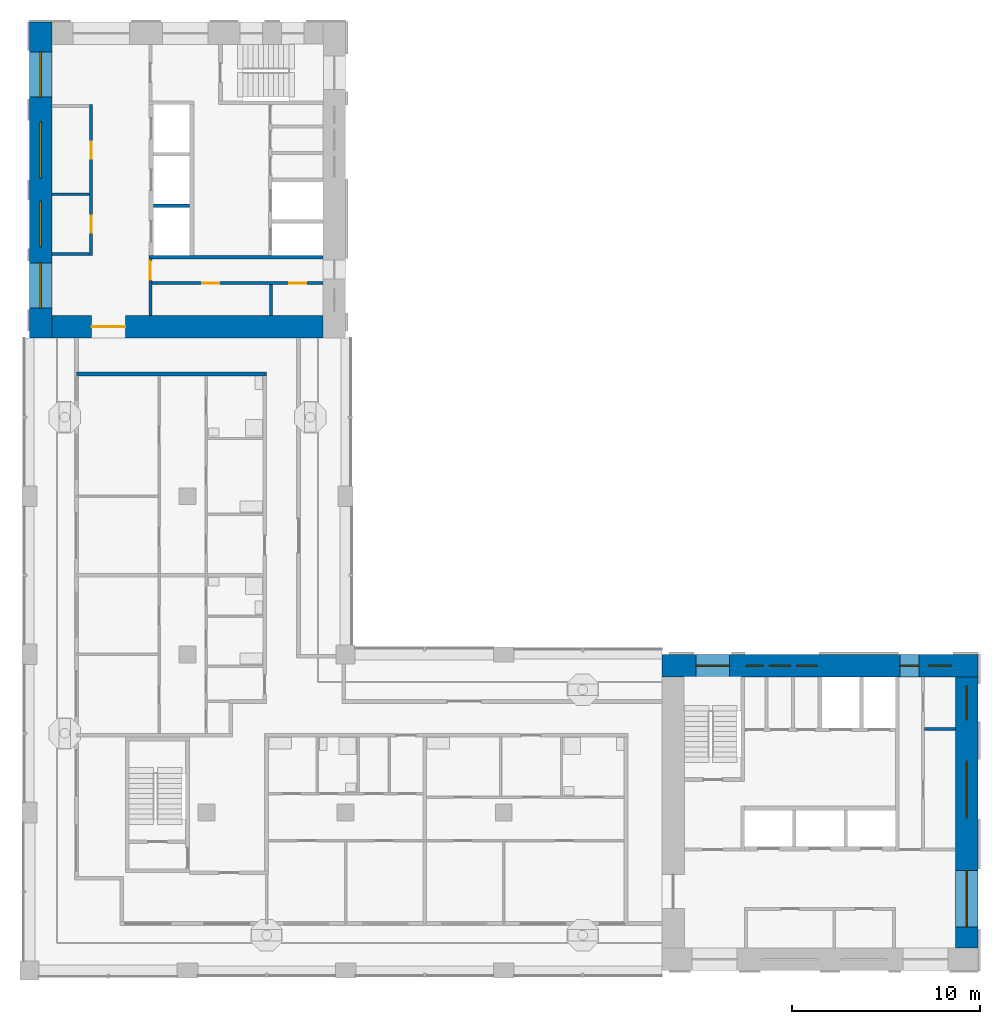
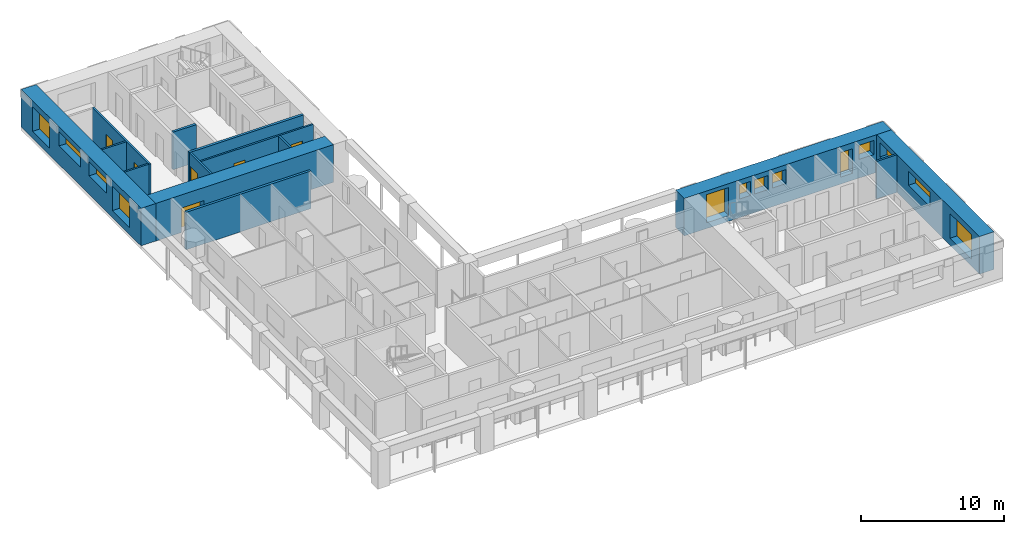
# One storey, part 5 of 12: 14 walls, 13 windows, 6 doors, 19 openings.
"""IFC4 building model written with IfcOpenShell, lengths in metres."""

from ifc_helpers import new_model, si_unit, direction, frame, frame_2d, origin, place, context, subcontext, project, spatial, rectangle, extrude, material, layer, layer_set, type_object, element, fill, save


model = new_model("IFC4")

# Units and contexts
model_context = context("Model", 3, precision=1e-05, world=origin(), true_north=direction((0.0, 1.0)))
body_context = subcontext(model_context, "Body", "Model", "MODEL_VIEW")
ifc_project = project(units=[si_unit("LENGTHUNIT", "METRE"), si_unit("AREAUNIT", "SQUARE_METRE"), si_unit("VOLUMEUNIT", "CUBIC_METRE"), si_unit("PLANEANGLEUNIT", "RADIAN"), si_unit("MASSUNIT", "GRAM", prefix="KILO")], contexts=[model_context])

# Site, building, storey
site_placement = place(None, origin())
site = spatial("IfcSite", under=ifc_project, at=site_placement, CompositionType="ELEMENT")
building_placement = place(site_placement, origin())
building = spatial("IfcBuilding", under=site, at=building_placement, Name="Vermilion Gate Residences", CompositionType="ELEMENT")
storey_placement = place(building_placement, frame((0.0, 0.0, 217.699951171875)))
storey = spatial("IfcBuildingStorey", under=building, at=storey_placement, Name="L56", CompositionType="ELEMENT", Elevation=217.699951171875)

# Walls
ifc_material_1 = material(Name="Masonry blockwork", Category="masonry")
ifc_layer_1 = layer(ifc_material_1, 0.14990234375)
ifc_layer_set_1 = layer_set([ifc_layer_1], Name="BLOCKWORK PARTITION 150 EI 120")
wall_type_1 = type_object("IfcWallType", Name="BLOCKWORK PARTITION 150 EI 120", PredefinedType="PARTITIONING", material=ifc_layer_set_1)
wall_1_placement = place(storey_placement, frame((55.949951171875, 21.239990234375, 0.0), z_axis=(0.0, 0.0, 1.0), x_axis=(1.0, 0.0, 0.0)))
element("IfcWall", 1, at=wall_1_placement, inside=storey, type_object=wall_type_1, Name="Core room partition A56-ES-P0", PredefinedType="PARTITIONING", context=body_context, shape_type="SweptSolid", body=[
    extrude(rectangle(XDim=1.650146484375, YDim=0.14990234375, at=frame_2d((0.8251953125, 0.0))), origin(), (0.0, 0.0, 1.0), 3.219970703125),
])
for number, where, z_axis, x_axis, name in (
    (2, (9.60009765625, 46.47509765625, 0.0), (0.0, 0.0, 1.0), (1.0, 0.0, 0.0), "Core room partition B56-RW-E"),
    (3, (9.60009765625, 49.64501953125, 0.0), (0.0, 0.0, 1.0), (1.0, 0.0, 0.0), "Core room partition B56-SR-P0"),
):
    element("IfcWall", number, at=place(storey_placement, frame(where, z_axis=z_axis, x_axis=x_axis)), inside=storey, type_object=wall_type_1, Name=name, PredefinedType="PARTITIONING", context=body_context, shape_type="SweptSolid", body=[
        extrude(rectangle(XDim=2.0, YDim=0.14990234375, at=frame_2d((1.0, 0.0))), origin(), (0.0, 0.0, 1.0), 3.219970703125),
    ])

# Wall, openings, doors
wall_2_placement = place(storey_placement, frame((11.675048828125, 54.39990234375, 0.0), z_axis=(0.0, 0.0, 1.0), x_axis=(0.0, -1.0, 0.0)))
wall_2 = element("IfcWall", 4, at=wall_2_placement, inside=storey, type_object=wall_type_1, Name="Core room partition B56-LR-F", PredefinedType="PARTITIONING", context=body_context, shape_type="SweptSolid", body=[
    extrude(rectangle(XDim=8.0, YDim=0.14990234375, at=frame_2d((4.0, 0.0))), origin(), (0.0, 0.0, 1.0), 3.219970703125),
])
opening_1_placement = place(wall_2_placement, frame((1.965087890625, 0.0, 0.0)))
opening_1 = element("IfcOpeningElement", 5, at=opening_1_placement, cuts=wall_2, Name="Opening DK56102", PredefinedType="OPENING", context=body_context, shape_type="SweptSolid", body=[
    extrude(rectangle(XDim=0.89990234375, YDim=2.10009765625, at=frame_2d((0.449951171875, 1.050048828125))), frame((0.0, 0.0849609375, 0.0), z_axis=(0.0, -1.0, 0.0), x_axis=(1.0, 0.0, 0.0)), (0.0, 0.0, 1.0), 0.169921875),
])
opening_2_placement = place(wall_2_placement, frame((5.889892578125, 0.0, 0.0)))
opening_2 = element("IfcOpeningElement", 6, at=opening_2_placement, cuts=wall_2, Name="Opening DK56103", PredefinedType="OPENING", context=body_context, shape_type="SweptSolid", body=[
    extrude(rectangle(XDim=0.89990234375, YDim=2.10009765625, at=frame_2d((0.449951171875, 1.050048828125))), frame((0.0, 0.0849609375, 0.0), z_axis=(0.0, -1.0, 0.0), x_axis=(1.0, 0.0, 0.0)), (0.0, 0.0, 1.0), 0.169921875),
])
ifc_material_2 = material(Name="Steel", Category="steel")
door_type_1 = type_object("IfcDoorType", Name="SERVICE ROOM DOOR FD60 900 X 2100", OperationType="SINGLE_SWING_LEFT", PredefinedType="DOOR", material=ifc_material_2)
door_1_placement = place(opening_1_placement, frame((0.89990234375, 0.0, 0.0), z_axis=(0.0, 0.0, 1.0), x_axis=(-1.0, 0.0, 0.0)))
door_1 = element("IfcDoor", 7, at=door_1_placement, inside=storey, type_object=door_type_1, Name="Housekeeping store B56", OperationType="SINGLE_SWING_LEFT", OverallHeight=2.10009765625, OverallWidth=0.89990234375, PredefinedType="DOOR", context=body_context, shape_type="SweptSolid", body=[
    extrude(rectangle(XDim=0.89990234375, YDim=2.10009765625, at=frame_2d((0.449951171875, 1.050048828125))), frame((0.0, 0.02490234375, 0.0), z_axis=(0.0, -1.0, 0.0), x_axis=(1.0, 0.0, 0.0)), (0.0, 0.0, 1.0), 0.050048828125),
])
fill(opening_1, door_1)
door_2_placement = place(opening_2_placement, frame((0.89990234375, 0.0, 0.0), z_axis=(0.0, 0.0, 1.0), x_axis=(-1.0, 0.0, 0.0)))
door_2 = element("IfcDoor", 8, at=door_2_placement, inside=storey, type_object=door_type_1, Name="Fire equipment store B56", OperationType="SINGLE_SWING_LEFT", OverallHeight=2.10009765625, OverallWidth=0.89990234375, PredefinedType="DOOR", context=body_context, shape_type="SweptSolid", body=[
    extrude(rectangle(XDim=0.89990234375, YDim=2.10009765625, at=frame_2d((0.449951171875, 1.050048828125))), frame((0.0, 0.02490234375, 0.0), z_axis=(0.0, -1.0, 0.0), x_axis=(1.0, 0.0, 0.0)), (0.0, 0.0, 1.0), 0.050048828125),
])
fill(opening_2, door_2)

# Wall, opening, door
wall_3_placement = place(storey_placement, frame((14.824951171875, 46.199951171875, 0.0), z_axis=(0.0, 0.0, 1.0), x_axis=(0.0, -1.0, 0.0)))
wall_3 = element("IfcWall", 9, at=wall_3_placement, inside=storey, type_object=wall_type_1, Name="Core room partition B56-ES-S", PredefinedType="PARTITIONING", context=body_context, shape_type="SweptSolid", body=[
    extrude(rectangle(XDim=3.0, YDim=0.14990234375, at=frame_2d((1.5, 0.0))), origin(), (0.0, 0.0, 1.0), 3.219970703125),
])
opening_3_placement = place(wall_3_placement, frame((0.10009765625, 0.0, 0.0)))
opening_3 = element("IfcOpeningElement", 10, at=opening_3_placement, cuts=wall_3, Name="Opening DK56114", PredefinedType="OPENING", context=body_context, shape_type="SweptSolid", body=[
    extrude(rectangle(XDim=1.0, YDim=2.10009765625, at=frame_2d((0.5, 1.050048828125))), frame((0.0, 0.0849609375, 0.0), z_axis=(0.0, -1.0, 0.0), x_axis=(1.0, 0.0, 0.0)), (0.0, 0.0, 1.0), 0.169921875),
])
ifc_material_3 = material(Name="Steel", Category="steel")
door_type_2 = type_object("IfcDoorType", Name="FIRE DOOR FD60 1000 X 2100", OperationType="SINGLE_SWING_LEFT", PredefinedType="DOOR", material=ifc_material_3)
door_3_placement = place(opening_3_placement, frame((1.0, 0.0, 0.0), z_axis=(0.0, 0.0, 1.0), x_axis=(-1.0, 0.0, 0.0)))
door_3 = element("IfcDoor", 11, at=door_3_placement, inside=storey, type_object=door_type_2, Name="Service corridor door B56", OperationType="SINGLE_SWING_LEFT", OverallHeight=2.10009765625, OverallWidth=1.0, PredefinedType="DOOR", context=body_context, shape_type="SweptSolid", body=[
    extrude(rectangle(XDim=1.0, YDim=2.10009765625, at=frame_2d((0.5, 1.050048828125))), frame((0.0, 0.02490234375, 0.0), z_axis=(0.0, -1.0, 0.0), x_axis=(1.0, 0.0, 0.0)), (0.0, 0.0, 1.0), 0.050048828125),
])
fill(opening_3, door_3)

# Wall
wall_4_placement = place(storey_placement, frame((21.239990234375, 44.85009765625, 0.0), z_axis=(0.0, 0.0, 1.0), x_axis=(0.0, -1.0, 0.0)))
element("IfcWall", 12, at=wall_4_placement, inside=storey, type_object=wall_type_1, Name="Core room partition B56-ES-P0", PredefinedType="PARTITIONING", context=body_context, shape_type="SweptSolid", body=[
    extrude(rectangle(XDim=1.650146484375, YDim=0.14990234375, at=frame_2d((0.8251953125, 0.0))), origin(), (0.0, 0.0, 1.0), 3.219970703125),
])

# Wall, openings, doors
wall_5_placement = place(storey_placement, frame((14.89990234375, 44.925048828125, 0.0), z_axis=(0.0, 0.0, 1.0), x_axis=(1.0, 0.0, 0.0)))
wall_5 = element("IfcWall", 13, at=wall_5_placement, inside=storey, type_object=wall_type_1, Name="Core room partition B56-ES-W", PredefinedType="PARTITIONING", context=body_context, shape_type="SweptSolid", body=[
    extrude(rectangle(XDim=9.10009765625, YDim=0.14990234375, at=frame_2d((4.550048828125, 0.0))), origin(), (0.0, 0.0, 1.0), 3.219970703125),
])
opening_4_placement = place(wall_5_placement, frame((2.6826171875, 0.0, 0.0)))
opening_4 = element("IfcOpeningElement", 14, at=opening_4_placement, cuts=wall_5, Name="Opening DK56115", PredefinedType="OPENING", context=body_context, shape_type="SweptSolid", body=[
    extrude(rectangle(XDim=0.89990234375, YDim=2.10009765625, at=frame_2d((0.449951171875, 1.050048828125))), frame((0.0, 0.0849609375, 0.0), z_axis=(0.0, -1.0, 0.0), x_axis=(1.0, 0.0, 0.0)), (0.0, 0.0, 1.0), 0.169921875),
])
opening_5_placement = place(wall_5_placement, frame((7.3076171875, 0.0, 0.0)))
opening_5 = element("IfcOpeningElement", 15, at=opening_5_placement, cuts=wall_5, Name="Opening DK56116", PredefinedType="OPENING", context=body_context, shape_type="SweptSolid", body=[
    extrude(rectangle(XDim=0.89990234375, YDim=2.10009765625, at=frame_2d((0.449951171875, 1.050048828125))), frame((0.0, 0.0849609375, 0.0), z_axis=(0.0, -1.0, 0.0), x_axis=(1.0, 0.0, 0.0)), (0.0, 0.0, 1.0), 0.169921875),
])
door_4_placement = place(opening_4_placement, frame((0.89990234375, 0.0, 0.0), z_axis=(0.0, 0.0, 1.0), x_axis=(-1.0, 0.0, 0.0)))
door_4 = element("IfcDoor", 16, at=door_4_placement, inside=storey, type_object=door_type_1, Name="Electrical room B56", OperationType="SINGLE_SWING_LEFT", OverallHeight=2.10009765625, OverallWidth=0.89990234375, PredefinedType="DOOR", context=body_context, shape_type="SweptSolid", body=[
    extrude(rectangle(XDim=0.89990234375, YDim=2.10009765625, at=frame_2d((0.449951171875, 1.050048828125))), frame((0.0, 0.02490234375, 0.0), z_axis=(0.0, -1.0, 0.0), x_axis=(1.0, 0.0, 0.0)), (0.0, 0.0, 1.0), 0.050048828125),
])
fill(opening_4, door_4)
door_5_placement = place(opening_5_placement, frame((0.89990234375, 0.0, 0.0), z_axis=(0.0, 0.0, 1.0), x_axis=(-1.0, 0.0, 0.0)))
door_5 = element("IfcDoor", 17, at=door_5_placement, inside=storey, type_object=door_type_1, Name="Storage room B56", OperationType="SINGLE_SWING_LEFT", OverallHeight=2.10009765625, OverallWidth=0.89990234375, PredefinedType="DOOR", context=body_context, shape_type="SweptSolid", body=[
    extrude(rectangle(XDim=0.89990234375, YDim=2.10009765625, at=frame_2d((0.449951171875, 1.050048828125))), frame((0.0, 0.02490234375, 0.0), z_axis=(0.0, -1.0, 0.0), x_axis=(1.0, 0.0, 0.0)), (0.0, 0.0, 1.0), 0.050048828125),
])
fill(opening_5, door_5)

# Walls
ifc_material_4 = material(Name="Fire-rated plasterboard on steel studs", Category="steel")
ifc_layer_2 = layer(ifc_material_4, 0.199951171875)
ifc_layer_set_2 = layer_set([ifc_layer_2], Name="PARTY WALL 200 EI 120")
wall_type_2 = type_object("IfcWallType", Name="PARTY WALL 200 EI 120", PredefinedType="PARTITIONING", material=ifc_layer_set_2)
wall_6_placement = place(storey_placement, frame((10.89990234375, 40.10009765625, 0.0), z_axis=(0.0, 0.0, 1.0), x_axis=(1.0, 0.0, 0.0)))
element("IfcWall", 18, at=wall_6_placement, inside=storey, type_object=wall_type_2, Name="Party and corridor wall", PredefinedType="PARTITIONING", context=body_context, shape_type="SweptSolid", body=[
    extrude(rectangle(XDim=10.10009765625, YDim=0.199951171875, at=frame_2d((5.050048828125, 0.0))), origin(), (0.0, 0.0, 1.0), 3.219970703125),
])
ifc_material_5 = material(Name="Concrete C60", Category="concrete")
ifc_layer_3 = layer(ifc_material_5, 0.199951171875)
ifc_layer_set_3 = layer_set([ifc_layer_3], Name="RC CORE INTERNAL WALL 200 C60")
wall_type_3 = type_object("IfcWallType", Name="RC CORE INTERNAL WALL 200 C60", PredefinedType="SHEAR", material=ifc_layer_set_3)
wall_7_placement = place(storey_placement, frame((15.0, 49.033447265625, 0.0), z_axis=(0.0, 0.0, 1.0), x_axis=(1.0, 0.0, 0.0)))
element("IfcWall", 19, at=wall_7_placement, inside=storey, type_object=wall_type_3, Name="Core internal wall B56-HR-D2", PredefinedType="SHEAR", context=body_context, shape_type="SweptSolid", body=[
    extrude(rectangle(XDim=1.89990234375, YDim=0.199951171875, at=frame_2d((0.949951171875, 0.0))), origin(), (0.0, 0.0, 1.0), 3.219970703125),
])
wall_8_placement = place(storey_placement, frame((14.75, 46.300048828125, 0.0), z_axis=(0.0, 0.0, 1.0), x_axis=(1.0, 0.0, 0.0)))
element("IfcWall", 20, at=wall_8_placement, inside=storey, type_object=wall_type_3, Name="Core internal wall B56-EDIV", PredefinedType="SHEAR", context=body_context, shape_type="SweptSolid", body=[
    extrude(rectangle(XDim=9.25, YDim=0.199951171875, at=frame_2d((4.625, 0.0))), origin(), (0.0, 0.0, 1.0), 3.219970703125),
])

# Wall, opening, door
ifc_material_6 = material(Name="Concrete C50", Category="concrete")
ifc_layer_4 = layer(ifc_material_6, 1.199951171875)
ifc_layer_set_4 = layer_set([ifc_layer_4], Name="RC CORE WALL 1200 C50")
wall_type_4 = type_object("IfcWallType", Name="RC CORE WALL 1200 C50", PredefinedType="SHEAR", material=ifc_layer_set_4)
wall_9_placement = place(storey_placement, frame((9.60009765625, 42.60009765625, 0.0), z_axis=(0.0, 0.0, 1.0), x_axis=(1.0, 0.0, 0.0)))
wall_9 = element("IfcWall", 21, at=wall_9_placement, inside=storey, type_object=wall_type_4, Name="Core wall B56-OUT-BK", PredefinedType="SHEAR", context=body_context, shape_type="SweptSolid", body=[
    extrude(rectangle(XDim=14.39990234375, YDim=1.199951171875, at=frame_2d((7.199951171875, 0.0))), origin(), (0.0, 0.0, 1.0), 3.219970703125),
])
opening_6_placement = place(wall_9_placement, frame((2.10009765625, 0.0, 0.0)))
opening_6 = element("IfcOpeningElement", 22, at=opening_6_placement, cuts=wall_9, Name="Opening DK56101", PredefinedType="OPENING", context=body_context, shape_type="SweptSolid", body=[
    extrude(rectangle(XDim=1.800048828125, YDim=2.10009765625, at=frame_2d((0.89990234375, 1.050048828125))), frame((0.0, 0.60986328125, 0.0), z_axis=(0.0, -1.0, 0.0), x_axis=(1.0, 0.0, 0.0)), (0.0, 0.0, 1.0), 1.219970703125),
])
ifc_material_7 = material(Name="Steel", Category="steel")
door_type_3 = type_object("IfcDoorType", Name="CORE LOBBY DOOR FD60 1800 X 2100", OperationType="DOUBLE_DOOR_SINGLE_SWING", PredefinedType="DOOR", material=ifc_material_7)
door_6_placement = place(opening_6_placement, frame((1.800048828125, 0.0, 0.0), z_axis=(0.0, 0.0, 1.0), x_axis=(-1.0, 0.0, 0.0)))
door_6 = element("IfcDoor", 23, at=door_6_placement, inside=storey, type_object=door_type_3, Name="Core lobby door B56", OperationType="DOUBLE_DOOR_SINGLE_SWING", OverallHeight=2.10009765625, OverallWidth=1.800048828125, PredefinedType="DOOR", context=body_context, shape_type="SweptSolid", body=[
    extrude(rectangle(XDim=1.800048828125, YDim=2.10009765625, at=frame_2d((0.89990234375, 1.050048828125))), frame((0.0, 0.02490234375, 0.0), z_axis=(0.0, -1.0, 0.0), x_axis=(1.0, 0.0, 0.0)), (0.0, 0.0, 1.0), 0.050048828125),
])
fill(opening_6, door_6)

# Wall, openings, windows
ifc_material_8 = material(Name="Concrete C50 red-oxide pigmented", Category="concrete")
ifc_layer_5 = layer(ifc_material_8, 1.199951171875)
ifc_layer_set_5 = layer_set([ifc_layer_5], Name="RC CORE WALL 1200 C50 RED OXIDE")
wall_type_5 = type_object("IfcWallType", Name="RC CORE WALL 1200 C50 RED OXIDE", PredefinedType="SHEAR", material=ifc_layer_set_5)
wall_10_placement = place(storey_placement, frame((42.0, 24.60009765625, 0.0), z_axis=(0.0, 0.0, 1.0), x_axis=(1.0, 0.0, 0.0)))
wall_10 = element("IfcWall", 24, at=wall_10_placement, inside=storey, type_object=wall_type_5, Name="Core wall A56-OUT-B1", PredefinedType="SHEAR", context=body_context, shape_type="SweptSolid", body=[
    extrude(rectangle(XDim=16.800048828125, YDim=1.199951171875, at=frame_2d((8.39990234375, 0.0))), origin(), (0.0, 0.0, 1.0), 3.219970703125),
])
opening_7_placement = place(wall_10_placement, frame((1.800048828125, 0.0, 0.5)))
opening_7 = element("IfcOpeningElement", 25, at=opening_7_placement, cuts=wall_10, Name="Opening WKA5605", PredefinedType="OPENING", context=body_context, shape_type="SweptSolid", body=[
    extrude(rectangle(XDim=1.800048828125, YDim=2.39990234375, at=frame_2d((0.89990234375, 1.199951171875))), frame((0.0, 0.60986328125, 0.0), z_axis=(0.0, -1.0, 0.0), x_axis=(1.0, 0.0, 0.0)), (0.0, 0.0, 1.0), 1.219970703125),
])
opening_8_placement = place(wall_10_placement, frame((4.489990234375, 0.0, 1.60009765625)))
opening_8 = element("IfcOpeningElement", 26, at=opening_8_placement, cuts=wall_10, Name="Opening WKA5606", PredefinedType="OPENING", context=body_context, shape_type="SweptSolid", body=[
    extrude(rectangle(XDim=0.89990234375, YDim=1.199951171875, at=frame_2d((0.449951171875, 0.60009765625))), frame((0.0, 0.60986328125, 0.0), z_axis=(0.0, -1.0, 0.0), x_axis=(1.0, 0.0, 0.0)), (0.0, 0.0, 1.0), 1.219970703125),
])
opening_9_placement = place(wall_10_placement, frame((5.7099609375, 0.0, 1.60009765625)))
opening_9 = element("IfcOpeningElement", 27, at=opening_9_placement, cuts=wall_10, Name="Opening WKA5607", PredefinedType="OPENING", context=body_context, shape_type="SweptSolid", body=[
    extrude(rectangle(XDim=1.10009765625, YDim=1.199951171875, at=frame_2d((0.550048828125, 0.60009765625))), frame((0.0, 0.60986328125, 0.0), z_axis=(0.0, -1.0, 0.0), x_axis=(1.0, 0.0, 0.0)), (0.0, 0.0, 1.0), 1.219970703125),
])
opening_10_placement = place(wall_10_placement, frame((7.14990234375, 0.0, 1.60009765625)))
opening_10 = element("IfcOpeningElement", 28, at=opening_10_placement, cuts=wall_10, Name="Opening WKA5608", PredefinedType="OPENING", context=body_context, shape_type="SweptSolid", body=[
    extrude(rectangle(XDim=1.10009765625, YDim=1.199951171875, at=frame_2d((0.550048828125, 0.60009765625))), frame((0.0, 0.60986328125, 0.0), z_axis=(0.0, -1.0, 0.0), x_axis=(1.0, 0.0, 0.0)), (0.0, 0.0, 1.0), 1.219970703125),
])
opening_11_placement = place(wall_10_placement, frame((12.64990234375, 0.0, 0.60009765625)))
opening_11 = element("IfcOpeningElement", 29, at=opening_11_placement, cuts=wall_10, Name="Opening WKA5609", PredefinedType="OPENING", context=body_context, shape_type="SweptSolid", body=[
    extrude(rectangle(XDim=1.0, YDim=2.10009765625, at=frame_2d((0.5, 1.050048828125))), frame((0.0, 0.60986328125, 0.0), z_axis=(0.0, -1.0, 0.0), x_axis=(1.0, 0.0, 0.0)), (0.0, 0.0, 1.0), 1.219970703125),
])
opening_12_placement = place(wall_10_placement, frame((14.175048828125, 0.0, 1.60009765625)))
opening_12 = element("IfcOpeningElement", 30, at=opening_12_placement, cuts=wall_10, Name="Opening WKA5610", PredefinedType="OPENING", context=body_context, shape_type="SweptSolid", body=[
    extrude(rectangle(XDim=1.199951171875, YDim=1.199951171875, at=frame_2d((0.60009765625, 0.60009765625))), frame((0.0, 0.60986328125, 0.0), z_axis=(0.0, -1.0, 0.0), x_axis=(1.0, 0.0, 0.0)), (0.0, 0.0, 1.0), 1.219970703125),
])
ifc_material_9 = material(Name="Aluminium and clear glass", Category="aluminium")
window_type_1 = type_object("IfcWindowType", Name="CORE CORRIDOR WINDOW 1000 X 2100", PartitioningType="SINGLE_PANEL", PredefinedType="WINDOW", material=ifc_material_9)
window_1_placement = place(opening_11_placement, origin())
window_1 = element("IfcWindow", 31, at=window_1_placement, inside=storey, type_object=window_type_1, Name="Core corridor window", OverallHeight=2.10009765625, OverallWidth=1.0, PartitioningType="SINGLE_PANEL", PredefinedType="WINDOW", context=body_context, shape_type="SweptSolid", body=[
    extrude(rectangle(XDim=1.0, YDim=2.10009765625, at=frame_2d((0.5, 1.050048828125))), frame((0.0, 0.030029296875, 0.0), z_axis=(0.0, -1.0, 0.0), x_axis=(1.0, 0.0, 0.0)), (0.0, 0.0, 1.0), 0.06005859375),
])
fill(opening_11, window_1)
ifc_material_10 = material(Name="Aluminium frame with louvre blades", Category="aluminium")
window_type_2 = type_object("IfcWindowType", Name="CORE LOUVRE 1100 X 1200", PartitioningType="SINGLE_PANEL", PredefinedType="WINDOW", material=ifc_material_10)
window_2_placement = place(opening_9_placement, origin())
window_2 = element("IfcWindow", 32, at=window_2_placement, inside=storey, type_object=window_type_2, Name="Core louvre", OverallHeight=1.199951171875, OverallWidth=1.10009765625, PartitioningType="SINGLE_PANEL", PredefinedType="WINDOW", context=body_context, shape_type="SweptSolid", body=[
    extrude(rectangle(XDim=1.10009765625, YDim=1.199951171875, at=frame_2d((0.550048828125, 0.60009765625))), frame((0.0, 0.030029296875, 0.0), z_axis=(0.0, -1.0, 0.0), x_axis=(1.0, 0.0, 0.0)), (0.0, 0.0, 1.0), 0.06005859375),
])
fill(opening_9, window_2)
window_3_placement = place(opening_10_placement, origin())
window_3 = element("IfcWindow", 33, at=window_3_placement, inside=storey, type_object=window_type_2, Name="Core louvre", OverallHeight=1.199951171875, OverallWidth=1.10009765625, PartitioningType="SINGLE_PANEL", PredefinedType="WINDOW", context=body_context, shape_type="SweptSolid", body=[
    extrude(rectangle(XDim=1.10009765625, YDim=1.199951171875, at=frame_2d((0.550048828125, 0.60009765625))), frame((0.0, 0.030029296875, 0.0), z_axis=(0.0, -1.0, 0.0), x_axis=(1.0, 0.0, 0.0)), (0.0, 0.0, 1.0), 0.06005859375),
])
fill(opening_10, window_3)
ifc_material_11 = material(Name="Aluminium frame with louvre blades", Category="aluminium")
window_type_3 = type_object("IfcWindowType", Name="CORE LOUVRE 1200 X 1200", PartitioningType="SINGLE_PANEL", PredefinedType="WINDOW", material=ifc_material_11)
window_4_placement = place(opening_12_placement, origin())
window_4 = element("IfcWindow", 34, at=window_4_placement, inside=storey, type_object=window_type_3, Name="Core louvre", OverallHeight=1.199951171875, OverallWidth=1.199951171875, PartitioningType="SINGLE_PANEL", PredefinedType="WINDOW", context=body_context, shape_type="SweptSolid", body=[
    extrude(rectangle(XDim=1.199951171875, YDim=1.199951171875, at=frame_2d((0.60009765625, 0.60009765625))), frame((0.0, 0.030029296875, 0.0), z_axis=(0.0, -1.0, 0.0), x_axis=(1.0, 0.0, 0.0)), (0.0, 0.0, 1.0), 0.06005859375),
])
fill(opening_12, window_4)
ifc_material_12 = material(Name="Aluminium frame with louvre blades", Category="aluminium")
window_type_4 = type_object("IfcWindowType", Name="CORE LOUVRE 900 X 1200", PartitioningType="SINGLE_PANEL", PredefinedType="WINDOW", material=ifc_material_12)
window_5_placement = place(opening_8_placement, origin())
window_5 = element("IfcWindow", 35, at=window_5_placement, inside=storey, type_object=window_type_4, Name="Core louvre", OverallHeight=1.199951171875, OverallWidth=0.89990234375, PartitioningType="SINGLE_PANEL", PredefinedType="WINDOW", context=body_context, shape_type="SweptSolid", body=[
    extrude(rectangle(XDim=0.89990234375, YDim=1.199951171875, at=frame_2d((0.449951171875, 0.60009765625))), frame((0.0, 0.030029296875, 0.0), z_axis=(0.0, -1.0, 0.0), x_axis=(1.0, 0.0, 0.0)), (0.0, 0.0, 1.0), 0.06005859375),
])
fill(opening_8, window_5)
ifc_material_13 = material(Name="Aluminium and clear glass", Category="aluminium")
window_type_5 = type_object("IfcWindowType", Name="CORE STAIR WINDOW 1800 X 2400", PartitioningType="SINGLE_PANEL", PredefinedType="WINDOW", material=ifc_material_13)
window_6_placement = place(opening_7_placement, origin())
window_6 = element("IfcWindow", 36, at=window_6_placement, inside=storey, type_object=window_type_5, Name="Core stair window", OverallHeight=2.39990234375, OverallWidth=1.800048828125, PartitioningType="SINGLE_PANEL", PredefinedType="WINDOW", context=body_context, shape_type="SweptSolid", body=[
    extrude(rectangle(XDim=1.800048828125, YDim=2.39990234375, at=frame_2d((0.89990234375, 1.199951171875))), frame((0.0, 0.030029296875, 0.0), z_axis=(0.0, -1.0, 0.0), x_axis=(1.0, 0.0, 0.0)), (0.0, 0.0, 1.0), 0.06005859375),
])
fill(opening_7, window_6)

wall_11_placement = place(storey_placement, frame((58.199951171875, 9.60009765625, 0.0), z_axis=(0.0, 0.0, 1.0), x_axis=(0.0, 1.0, 0.0)))
wall_11 = element("IfcWall", 37, at=wall_11_placement, inside=storey, type_object=wall_type_5, Name="Core wall A56-OUT-BK", PredefinedType="SHEAR", context=body_context, shape_type="SweptSolid", body=[
    extrude(rectangle(XDim=14.39990234375, YDim=1.199951171875, at=frame_2d((7.199951171875, 0.0))), origin(), (0.0, 0.0, 1.0), 3.219970703125),
])
opening_13_placement = place(wall_11_placement, frame((1.10498046875, 0.0, 0.60009765625)))
opening_13 = element("IfcOpeningElement", 38, at=opening_13_placement, cuts=wall_11, Name="Opening WKA5611", PredefinedType="OPENING", context=body_context, shape_type="SweptSolid", body=[
    extrude(rectangle(XDim=3.0, YDim=2.10009765625, at=frame_2d((1.5, 1.050048828125))), frame((0.0, 0.60986328125, 0.0), z_axis=(0.0, -1.0, 0.0), x_axis=(1.0, 0.0, 0.0)), (0.0, 0.0, 1.0), 1.219970703125),
])
opening_14_placement = place(wall_11_placement, frame((6.9326171875, 0.0, 1.60009765625)))
opening_14 = element("IfcOpeningElement", 39, at=opening_14_placement, cuts=wall_11, Name="Opening WKA5612", PredefinedType="OPENING", context=body_context, shape_type="SweptSolid", body=[
    extrude(rectangle(XDim=3.0, YDim=1.199951171875, at=frame_2d((1.5, 0.60009765625))), frame((0.0, 0.60986328125, 0.0), z_axis=(0.0, -1.0, 0.0), x_axis=(1.0, 0.0, 0.0)), (0.0, 0.0, 1.0), 1.219970703125),
])
opening_15_placement = place(wall_11_placement, frame((12.12744140625, 0.0, 1.60009765625)))
opening_15 = element("IfcOpeningElement", 40, at=opening_15_placement, cuts=wall_11, Name="Opening WKA5613", PredefinedType="OPENING", context=body_context, shape_type="SweptSolid", body=[
    extrude(rectangle(XDim=1.800048828125, YDim=1.199951171875, at=frame_2d((0.89990234375, 0.60009765625))), frame((0.0, 0.60986328125, 0.0), z_axis=(0.0, -1.0, 0.0), x_axis=(1.0, 0.0, 0.0)), (0.0, 0.0, 1.0), 1.219970703125),
])
ifc_material_14 = material(Name="Aluminium and clear glass", Category="aluminium")
window_type_6 = type_object("IfcWindowType", Name="CORE LOBBY WINDOW 3000 X 2100", PartitioningType="SINGLE_PANEL", PredefinedType="WINDOW", material=ifc_material_14)
window_7_placement = place(opening_13_placement, origin())
window_7 = element("IfcWindow", 41, at=window_7_placement, inside=storey, type_object=window_type_6, Name="Core lobby window", OverallHeight=2.10009765625, OverallWidth=3.0, PartitioningType="SINGLE_PANEL", PredefinedType="WINDOW", context=body_context, shape_type="SweptSolid", body=[
    extrude(rectangle(XDim=3.0, YDim=2.10009765625, at=frame_2d((1.5, 1.050048828125))), frame((0.0, 0.030029296875, 0.0), z_axis=(0.0, -1.0, 0.0), x_axis=(1.0, 0.0, 0.0)), (0.0, 0.0, 1.0), 0.06005859375),
])
fill(opening_13, window_7)
ifc_material_15 = material(Name="Aluminium frame with louvre blades", Category="aluminium")
window_type_7 = type_object("IfcWindowType", Name="CORE LOUVRE 1800 X 1200", PartitioningType="SINGLE_PANEL", PredefinedType="WINDOW", material=ifc_material_15)
window_8_placement = place(opening_15_placement, origin())
window_8 = element("IfcWindow", 42, at=window_8_placement, inside=storey, type_object=window_type_7, Name="Core louvre", OverallHeight=1.199951171875, OverallWidth=1.800048828125, PartitioningType="SINGLE_PANEL", PredefinedType="WINDOW", context=body_context, shape_type="SweptSolid", body=[
    extrude(rectangle(XDim=1.800048828125, YDim=1.199951171875, at=frame_2d((0.89990234375, 0.60009765625))), frame((0.0, 0.030029296875, 0.0), z_axis=(0.0, -1.0, 0.0), x_axis=(1.0, 0.0, 0.0)), (0.0, 0.0, 1.0), 0.06005859375),
])
fill(opening_15, window_8)
ifc_material_16 = material(Name="Aluminium frame with louvre blades", Category="aluminium")
window_type_8 = type_object("IfcWindowType", Name="CORE LOUVRE 3000 X 1200", PartitioningType="SINGLE_PANEL", PredefinedType="WINDOW", material=ifc_material_16)
window_9_placement = place(opening_14_placement, origin())
window_9 = element("IfcWindow", 43, at=window_9_placement, inside=storey, type_object=window_type_8, Name="Core louvre", OverallHeight=1.199951171875, OverallWidth=3.0, PartitioningType="SINGLE_PANEL", PredefinedType="WINDOW", context=body_context, shape_type="SweptSolid", body=[
    extrude(rectangle(XDim=3.0, YDim=1.199951171875, at=frame_2d((1.5, 0.60009765625))), frame((0.0, 0.030029296875, 0.0), z_axis=(0.0, -1.0, 0.0), x_axis=(1.0, 0.0, 0.0)), (0.0, 0.0, 1.0), 0.06005859375),
])
fill(opening_14, window_9)

wall_12_placement = place(storey_placement, frame((9.0, 58.800048828125, 0.0), z_axis=(0.0, 0.0, 1.0), x_axis=(0.0, -1.0, 0.0)))
wall_12 = element("IfcWall", 44, at=wall_12_placement, inside=storey, type_object=wall_type_5, Name="Core wall B56-OUT-B0", PredefinedType="SHEAR", context=body_context, shape_type="SweptSolid", body=[
    extrude(rectangle(XDim=16.800048828125, YDim=1.199951171875, at=frame_2d((8.39990234375, 0.0))), origin(), (0.0, 0.0, 1.0), 3.219970703125),
])
opening_16_placement = place(wall_12_placement, frame((1.60009765625, 0.0, 0.60009765625)))
opening_16 = element("IfcOpeningElement", 45, at=opening_16_placement, cuts=wall_12, Name="Opening WKB5601", PredefinedType="OPENING", context=body_context, shape_type="SweptSolid", body=[
    extrude(rectangle(XDim=2.39990234375, YDim=2.10009765625, at=frame_2d((1.199951171875, 1.050048828125))), frame((0.0, 0.60986328125, 0.0), z_axis=(0.0, -1.0, 0.0), x_axis=(1.0, 0.0, 0.0)), (0.0, 0.0, 1.0), 1.219970703125),
])
opening_17_placement = place(wall_12_placement, frame((5.31494140625, 0.0, 1.60009765625)))
opening_17 = element("IfcOpeningElement", 46, at=opening_17_placement, cuts=wall_12, Name="Opening WKB5602", PredefinedType="OPENING", context=body_context, shape_type="SweptSolid", body=[
    extrude(rectangle(XDim=3.0, YDim=1.199951171875, at=frame_2d((1.5, 0.60009765625))), frame((0.0, 0.60986328125, 0.0), z_axis=(0.0, -1.0, 0.0), x_axis=(1.0, 0.0, 0.0)), (0.0, 0.0, 1.0), 1.219970703125),
])
opening_18_placement = place(wall_12_placement, frame((9.5400390625, 0.0, 1.60009765625)))
opening_18 = element("IfcOpeningElement", 47, at=opening_18_placement, cuts=wall_12, Name="Opening WKB5603", PredefinedType="OPENING", context=body_context, shape_type="SweptSolid", body=[
    extrude(rectangle(XDim=2.39990234375, YDim=1.199951171875, at=frame_2d((1.199951171875, 0.60009765625))), frame((0.0, 0.60986328125, 0.0), z_axis=(0.0, -1.0, 0.0), x_axis=(1.0, 0.0, 0.0)), (0.0, 0.0, 1.0), 1.219970703125),
])
opening_19_placement = place(wall_12_placement, frame((12.800048828125, 0.0, 0.60009765625)))
opening_19 = element("IfcOpeningElement", 48, at=opening_19_placement, cuts=wall_12, Name="Opening WKB5604", PredefinedType="OPENING", context=body_context, shape_type="SweptSolid", body=[
    extrude(rectangle(XDim=2.39990234375, YDim=2.10009765625, at=frame_2d((1.199951171875, 1.050048828125))), frame((0.0, 0.60986328125, 0.0), z_axis=(0.0, -1.0, 0.0), x_axis=(1.0, 0.0, 0.0)), (0.0, 0.0, 1.0), 1.219970703125),
])
ifc_material_17 = material(Name="Aluminium and clear glass", Category="aluminium")
window_type_9 = type_object("IfcWindowType", Name="CORE LOBBY WINDOW 2400 X 2100", PartitioningType="SINGLE_PANEL", PredefinedType="WINDOW", material=ifc_material_17)
window_10_placement = place(opening_16_placement, origin())
window_10 = element("IfcWindow", 49, at=window_10_placement, inside=storey, type_object=window_type_9, Name="Core lobby window", OverallHeight=2.10009765625, OverallWidth=2.39990234375, PartitioningType="SINGLE_PANEL", PredefinedType="WINDOW", context=body_context, shape_type="SweptSolid", body=[
    extrude(rectangle(XDim=2.39990234375, YDim=2.10009765625, at=frame_2d((1.199951171875, 1.050048828125))), frame((0.0, 0.030029296875, 0.0), z_axis=(0.0, -1.0, 0.0), x_axis=(1.0, 0.0, 0.0)), (0.0, 0.0, 1.0), 0.06005859375),
])
fill(opening_16, window_10)
window_11_placement = place(opening_19_placement, origin())
window_11 = element("IfcWindow", 50, at=window_11_placement, inside=storey, type_object=window_type_9, Name="Core lobby window", OverallHeight=2.10009765625, OverallWidth=2.39990234375, PartitioningType="SINGLE_PANEL", PredefinedType="WINDOW", context=body_context, shape_type="SweptSolid", body=[
    extrude(rectangle(XDim=2.39990234375, YDim=2.10009765625, at=frame_2d((1.199951171875, 1.050048828125))), frame((0.0, 0.030029296875, 0.0), z_axis=(0.0, -1.0, 0.0), x_axis=(1.0, 0.0, 0.0)), (0.0, 0.0, 1.0), 0.06005859375),
])
fill(opening_19, window_11)
ifc_material_18 = material(Name="Aluminium frame with louvre blades", Category="aluminium")
window_type_10 = type_object("IfcWindowType", Name="CORE LOUVRE 2400 X 1200", PartitioningType="SINGLE_PANEL", PredefinedType="WINDOW", material=ifc_material_18)
window_12_placement = place(opening_18_placement, origin())
window_12 = element("IfcWindow", 51, at=window_12_placement, inside=storey, type_object=window_type_10, Name="Core louvre", OverallHeight=1.199951171875, OverallWidth=2.39990234375, PartitioningType="SINGLE_PANEL", PredefinedType="WINDOW", context=body_context, shape_type="SweptSolid", body=[
    extrude(rectangle(XDim=2.39990234375, YDim=1.199951171875, at=frame_2d((1.199951171875, 0.60009765625))), frame((0.0, 0.030029296875, 0.0), z_axis=(0.0, -1.0, 0.0), x_axis=(1.0, 0.0, 0.0)), (0.0, 0.0, 1.0), 0.06005859375),
])
fill(opening_18, window_12)
window_13_placement = place(opening_17_placement, origin())
window_13 = element("IfcWindow", 52, at=window_13_placement, inside=storey, type_object=window_type_8, Name="Core louvre", OverallHeight=1.199951171875, OverallWidth=3.0, PartitioningType="SINGLE_PANEL", PredefinedType="WINDOW", context=body_context, shape_type="SweptSolid", body=[
    extrude(rectangle(XDim=3.0, YDim=1.199951171875, at=frame_2d((1.5, 0.60009765625))), frame((0.0, 0.030029296875, 0.0), z_axis=(0.0, -1.0, 0.0), x_axis=(1.0, 0.0, 0.0)), (0.0, 0.0, 1.0), 0.06005859375),
])
fill(opening_17, window_13)

save(model, "model.ifc")
